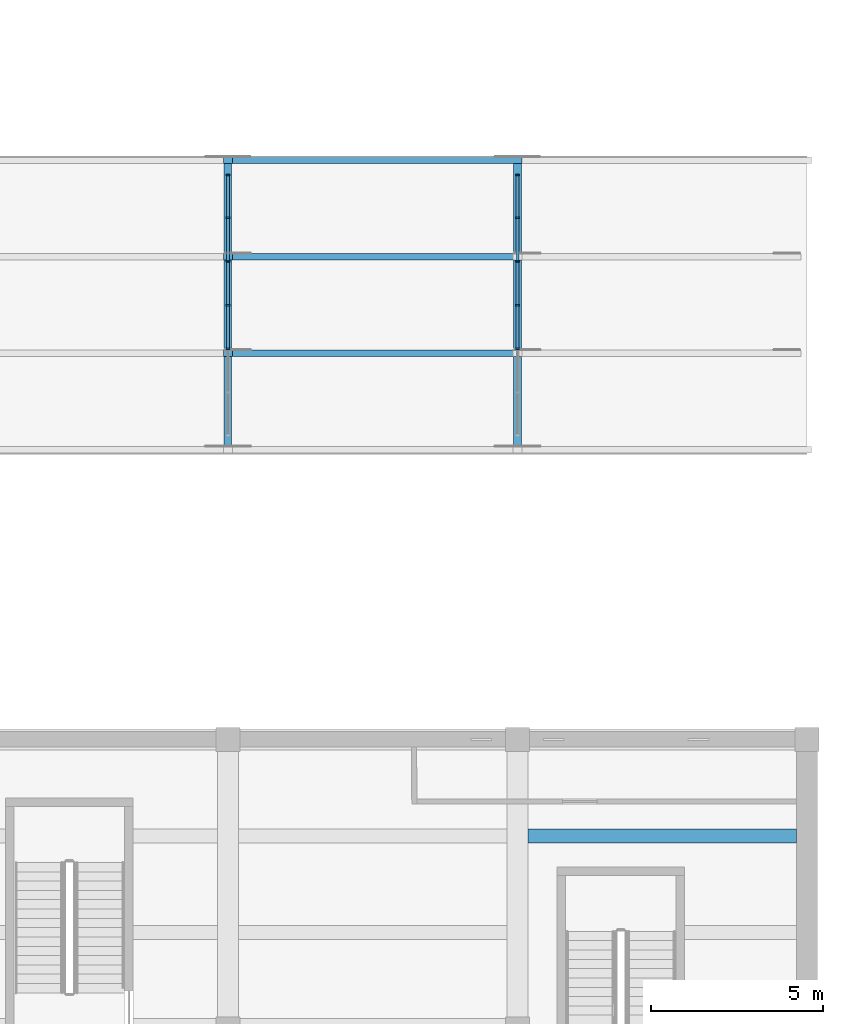
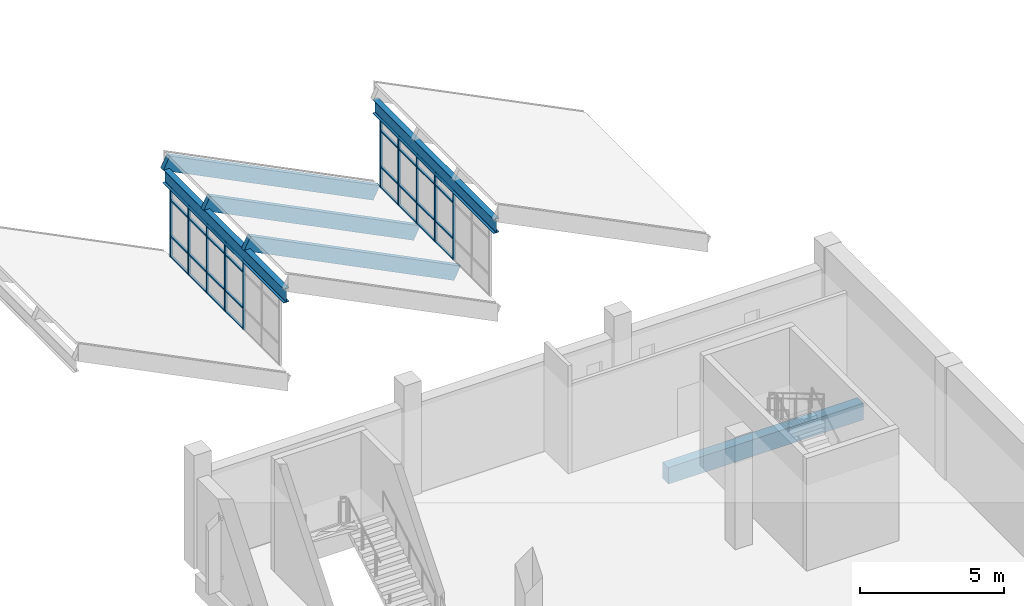
# One storey, part 28 of 103: 42 members, 6 beams, 2 elements without a shape of their own.
"""IFC4 building model written with IfcOpenShell, lengths in metres."""

from ifc_helpers import new_model, si_unit, direction, frame, origin, origin_2d, place, context, subcontext, project, spatial, rectangle, i_section, extrude, material, layer, layer_set, material_profile, profile_set, type_object, element, aggregate, save


model = new_model("IFC4")

# Units and contexts
model_context = context("Model", 3, precision=1e-05, world=origin(), true_north=direction((0.0, 1.0)))
body_context = subcontext(model_context, "Body", "Model", "MODEL_VIEW")
ifc_project = project(units=[si_unit("LENGTHUNIT", "METRE"), si_unit("AREAUNIT", "SQUARE_METRE"), si_unit("VOLUMEUNIT", "CUBIC_METRE"), si_unit("PLANEANGLEUNIT", "RADIAN"), si_unit("MASSUNIT", "GRAM", prefix="KILO")], contexts=[model_context])

# Site, building, storey
site_placement = place(None, origin())
site = spatial("IfcSite", under=ifc_project, at=site_placement, CompositionType="ELEMENT")
building_placement = place(site_placement, origin())
building = spatial("IfcBuilding", under=site, at=building_placement, Name="Larchfold Concert Hall", CompositionType="ELEMENT")
storey_placement = place(building_placement, frame((0.0, 0.0, 9.60009765625)))
storey = spatial("IfcBuildingStorey", under=building, at=storey_placement, Name="L02", CompositionType="ELEMENT", Elevation=9.60009765625)

# Curtain wall, members
ifc_material_1 = material(Name="Anodised graphite aluminium curtain wall", Category="aluminium")
ifc_layer = layer(ifc_material_1, 0.10009765625)
ifc_layer_set = layer_set([ifc_layer], Name="Anodised graphite aluminium curtain wall")
curtain_wall_type = type_object("IfcCurtainWallType", Name="Curtain wall GL", PredefinedType="NOTDEFINED", material=ifc_layer_set)
curtain_wall_1_placement = place(storey_placement, origin())
curtain_wall_1 = element("IfcCurtainWall", 1, at=curtain_wall_1_placement, inside=storey, type_object=curtain_wall_type, Name="Curtain wall CW8002", PredefinedType="NOTDEFINED")
ifc_material_2 = material(Name="Anodised graphite aluminium mullion", Category="aluminium")
ifc_material_profile_1 = material_profile(ifc_material_2, rectangle(XDim=0.10009765625, YDim=0.050048828125, at=origin_2d()))
ifc_profile_set_1 = profile_set([ifc_material_profile_1], Name="Anodised graphite aluminium mullion")
member_type_1 = type_object("IfcMemberType", Name="Aluminium mullion 50x100", PredefinedType="MULLION", material=ifc_profile_set_1)
member_1_placement = place(storey_placement, frame((84.60009765625, 112.7333984375, 0.0), z_axis=(0.0, 0.0, 1.0), x_axis=(-1.0, 0.0, 0.0)))
member_1 = element("IfcMember", 2, at=member_1_placement, type_object=member_type_1, Name="CW8002 mullion 3", PredefinedType="MULLION", context=body_context, shape_type="SweptSolid", body=[
    extrude(rectangle(XDim=0.10009765625, YDim=0.050048828125, at=origin_2d()), origin(), (0.0, 0.0, 1.0), 2.923828125),
])
member_2_placement = place(storey_placement, frame((84.60009765625, 114.0, 0.0), z_axis=(0.0, 0.0, 1.0), x_axis=(-1.0, 0.0, 0.0)))
member_2 = element("IfcMember", 3, at=member_2_placement, type_object=member_type_1, Name="CW8002 mullion 4", PredefinedType="MULLION", context=body_context, shape_type="SweptSolid", body=[
    extrude(rectangle(XDim=0.10009765625, YDim=0.050048828125, at=origin_2d()), origin(), (0.0, 0.0, 1.0), 2.923828125),
])
member_3_placement = place(storey_placement, frame((84.60009765625, 115.2666015625, 0.0), z_axis=(0.0, 0.0, 1.0), x_axis=(-1.0, 0.0, 0.0)))
member_3 = element("IfcMember", 4, at=member_3_placement, type_object=member_type_1, Name="CW8002 mullion 5", PredefinedType="MULLION", context=body_context, shape_type="SweptSolid", body=[
    extrude(rectangle(XDim=0.10009765625, YDim=0.050048828125, at=origin_2d()), origin(), (0.0, 0.0, 1.0), 2.923828125),
])
member_4_placement = place(storey_placement, frame((84.60009765625, 116.533447265625, 0.0), z_axis=(0.0, 0.0, 1.0), x_axis=(-1.0, 0.0, 0.0)))
member_4 = element("IfcMember", 5, at=member_4_placement, type_object=member_type_1, Name="CW8002 mullion 6", PredefinedType="MULLION", context=body_context, shape_type="SweptSolid", body=[
    extrude(rectangle(XDim=0.10009765625, YDim=0.050048828125, at=origin_2d()), origin(), (0.0, 0.0, 1.0), 2.923828125),
])
member_5_placement = place(storey_placement, frame((84.60009765625, 117.775146484375, 0.0), z_axis=(0.0, 0.0, 1.0), x_axis=(-1.0, 0.0, 0.0)))
member_5 = element("IfcMember", 6, at=member_5_placement, type_object=member_type_1, Name="CW8002 mullion 7", PredefinedType="MULLION", context=body_context, shape_type="SweptSolid", body=[
    extrude(rectangle(XDim=0.10009765625, YDim=0.050048828125, at=origin_2d()), origin(), (0.0, 0.0, 1.0), 2.923828125),
])

curtain_wall_2_placement = place(storey_placement, origin())
curtain_wall_2 = element("IfcCurtainWall", 7, at=curtain_wall_2_placement, inside=storey, type_object=curtain_wall_type, Name="Curtain wall CW8003", PredefinedType="NOTDEFINED")
member_6_placement = place(storey_placement, frame((93.0, 112.7333984375, 0.0), z_axis=(0.0, 0.0, 1.0), x_axis=(-1.0, 0.0, 0.0)))
member_6 = element("IfcMember", 8, at=member_6_placement, type_object=member_type_1, Name="CW8003 mullion 3", PredefinedType="MULLION", context=body_context, shape_type="SweptSolid", body=[
    extrude(rectangle(XDim=0.10009765625, YDim=0.050048828125, at=origin_2d()), origin(), (0.0, 0.0, 1.0), 2.923828125),
])
member_7_placement = place(storey_placement, frame((93.0, 114.0, 0.0), z_axis=(0.0, 0.0, 1.0), x_axis=(-1.0, 0.0, 0.0)))
member_7 = element("IfcMember", 9, at=member_7_placement, type_object=member_type_1, Name="CW8003 mullion 4", PredefinedType="MULLION", context=body_context, shape_type="SweptSolid", body=[
    extrude(rectangle(XDim=0.10009765625, YDim=0.050048828125, at=origin_2d()), origin(), (0.0, 0.0, 1.0), 2.923828125),
])
member_8_placement = place(storey_placement, frame((93.0, 115.2666015625, 0.0), z_axis=(0.0, 0.0, 1.0), x_axis=(-1.0, 0.0, 0.0)))
member_8 = element("IfcMember", 10, at=member_8_placement, type_object=member_type_1, Name="CW8003 mullion 5", PredefinedType="MULLION", context=body_context, shape_type="SweptSolid", body=[
    extrude(rectangle(XDim=0.10009765625, YDim=0.050048828125, at=origin_2d()), origin(), (0.0, 0.0, 1.0), 2.923828125),
])
member_9_placement = place(storey_placement, frame((93.0, 116.533447265625, 0.0), z_axis=(0.0, 0.0, 1.0), x_axis=(-1.0, 0.0, 0.0)))
member_9 = element("IfcMember", 11, at=member_9_placement, type_object=member_type_1, Name="CW8003 mullion 6", PredefinedType="MULLION", context=body_context, shape_type="SweptSolid", body=[
    extrude(rectangle(XDim=0.10009765625, YDim=0.050048828125, at=origin_2d()), origin(), (0.0, 0.0, 1.0), 2.923828125),
])
member_10_placement = place(storey_placement, frame((93.0, 117.775146484375, 0.0), z_axis=(0.0, 0.0, 1.0), x_axis=(-1.0, 0.0, 0.0)))
member_10 = element("IfcMember", 12, at=member_10_placement, type_object=member_type_1, Name="CW8003 mullion 7", PredefinedType="MULLION", context=body_context, shape_type="SweptSolid", body=[
    extrude(rectangle(XDim=0.10009765625, YDim=0.050048828125, at=origin_2d()), origin(), (0.0, 0.0, 1.0), 2.923828125),
])

# Member
ifc_material_3 = material(Name="Anodised graphite aluminium transom", Category="aluminium")
ifc_material_profile_2 = material_profile(ifc_material_3, rectangle(XDim=0.090087890625, YDim=0.06005859375, at=origin_2d()))
ifc_profile_set_2 = profile_set([ifc_material_profile_2], Name="Anodised graphite aluminium transom")
member_type_2 = type_object("IfcMemberType", Name="Aluminium transom 60x90", PredefinedType="USERDEFINED", material=ifc_profile_set_2)
member_11_placement = place(storey_placement, frame((84.60009765625, 112.75830078125, 0.030029296875), z_axis=(0.0, 1.0, 0.0), x_axis=(-1.0, 0.0, 0.0)))
member_11 = element("IfcMember", 13, at=member_11_placement, type_object=member_type_2, Name="CW8002 transom 3.1", ObjectType="TRANSOM", PredefinedType="USERDEFINED", context=body_context, shape_type="SweptSolid", body=[
    extrude(rectangle(XDim=0.090087890625, YDim=0.06005859375, at=origin_2d()), origin(), (0.0, 0.0, 1.0), 1.216796875),
])

member_12_placement = place(storey_placement, frame((84.60009765625, 112.75830078125, 0.89990234375), z_axis=(0.0, 1.0, 0.0), x_axis=(-1.0, 0.0, 0.0)))
member_12 = element("IfcMember", 14, at=member_12_placement, type_object=member_type_2, Name="CW8002 transom 3.2", ObjectType="TRANSOM", PredefinedType="USERDEFINED", context=body_context, shape_type="SweptSolid", body=[
    extrude(rectangle(XDim=0.090087890625, YDim=0.06005859375, at=origin_2d()), origin(), (0.0, 0.0, 1.0), 1.216796875),
])

member_13_placement = place(storey_placement, frame((84.60009765625, 112.75830078125, 2.423828125), z_axis=(0.0, 1.0, 0.0), x_axis=(-1.0, 0.0, 0.0)))
member_13 = element("IfcMember", 15, at=member_13_placement, type_object=member_type_2, Name="CW8002 transom 3.3", ObjectType="TRANSOM", PredefinedType="USERDEFINED", context=body_context, shape_type="SweptSolid", body=[
    extrude(rectangle(XDim=0.090087890625, YDim=0.06005859375, at=origin_2d()), origin(), (0.0, 0.0, 1.0), 1.216796875),
])

member_14_placement = place(storey_placement, frame((84.60009765625, 112.75830078125, 2.893798828125), z_axis=(0.0, 1.0, 0.0), x_axis=(-1.0, 0.0, 0.0)))
member_14 = element("IfcMember", 16, at=member_14_placement, type_object=member_type_2, Name="CW8002 transom 3.4", ObjectType="TRANSOM", PredefinedType="USERDEFINED", context=body_context, shape_type="SweptSolid", body=[
    extrude(rectangle(XDim=0.090087890625, YDim=0.06005859375, at=origin_2d()), origin(), (0.0, 0.0, 1.0), 1.216796875),
])

member_15_placement = place(storey_placement, frame((84.60009765625, 114.02490234375, 0.030029296875), z_axis=(0.0, 1.0, 0.0), x_axis=(-1.0, 0.0, 0.0)))
member_15 = element("IfcMember", 17, at=member_15_placement, type_object=member_type_2, Name="CW8002 transom 4.1", ObjectType="TRANSOM", PredefinedType="USERDEFINED", context=body_context, shape_type="SweptSolid", body=[
    extrude(rectangle(XDim=0.090087890625, YDim=0.06005859375, at=origin_2d()), origin(), (0.0, 0.0, 1.0), 1.216796875),
])

member_16_placement = place(storey_placement, frame((84.60009765625, 114.02490234375, 0.89990234375), z_axis=(0.0, 1.0, 0.0), x_axis=(-1.0, 0.0, 0.0)))
member_16 = element("IfcMember", 18, at=member_16_placement, type_object=member_type_2, Name="CW8002 transom 4.2", ObjectType="TRANSOM", PredefinedType="USERDEFINED", context=body_context, shape_type="SweptSolid", body=[
    extrude(rectangle(XDim=0.090087890625, YDim=0.06005859375, at=origin_2d()), origin(), (0.0, 0.0, 1.0), 1.216796875),
])

member_17_placement = place(storey_placement, frame((84.60009765625, 114.02490234375, 2.423828125), z_axis=(0.0, 1.0, 0.0), x_axis=(-1.0, 0.0, 0.0)))
member_17 = element("IfcMember", 19, at=member_17_placement, type_object=member_type_2, Name="CW8002 transom 4.3", ObjectType="TRANSOM", PredefinedType="USERDEFINED", context=body_context, shape_type="SweptSolid", body=[
    extrude(rectangle(XDim=0.090087890625, YDim=0.06005859375, at=origin_2d()), origin(), (0.0, 0.0, 1.0), 1.216796875),
])

member_18_placement = place(storey_placement, frame((84.60009765625, 114.02490234375, 2.893798828125), z_axis=(0.0, 1.0, 0.0), x_axis=(-1.0, 0.0, 0.0)))
member_18 = element("IfcMember", 20, at=member_18_placement, type_object=member_type_2, Name="CW8002 transom 4.4", ObjectType="TRANSOM", PredefinedType="USERDEFINED", context=body_context, shape_type="SweptSolid", body=[
    extrude(rectangle(XDim=0.090087890625, YDim=0.06005859375, at=origin_2d()), origin(), (0.0, 0.0, 1.0), 1.216796875),
])

member_19_placement = place(storey_placement, frame((84.60009765625, 115.291748046875, 0.030029296875), z_axis=(0.0, 1.0, 0.0), x_axis=(-1.0, 0.0, 0.0)))
member_19 = element("IfcMember", 21, at=member_19_placement, type_object=member_type_2, Name="CW8002 transom 5.1", ObjectType="TRANSOM", PredefinedType="USERDEFINED", context=body_context, shape_type="SweptSolid", body=[
    extrude(rectangle(XDim=0.090087890625, YDim=0.06005859375, at=origin_2d()), origin(), (0.0, 0.0, 1.0), 1.216552734375),
])

member_20_placement = place(storey_placement, frame((84.60009765625, 115.291748046875, 0.89990234375), z_axis=(0.0, 1.0, 0.0), x_axis=(-1.0, 0.0, 0.0)))
member_20 = element("IfcMember", 22, at=member_20_placement, type_object=member_type_2, Name="CW8002 transom 5.2", ObjectType="TRANSOM", PredefinedType="USERDEFINED", context=body_context, shape_type="SweptSolid", body=[
    extrude(rectangle(XDim=0.090087890625, YDim=0.06005859375, at=origin_2d()), origin(), (0.0, 0.0, 1.0), 1.216552734375),
])

member_21_placement = place(storey_placement, frame((84.60009765625, 115.291748046875, 2.423828125), z_axis=(0.0, 1.0, 0.0), x_axis=(-1.0, 0.0, 0.0)))
member_21 = element("IfcMember", 23, at=member_21_placement, type_object=member_type_2, Name="CW8002 transom 5.3", ObjectType="TRANSOM", PredefinedType="USERDEFINED", context=body_context, shape_type="SweptSolid", body=[
    extrude(rectangle(XDim=0.090087890625, YDim=0.06005859375, at=origin_2d()), origin(), (0.0, 0.0, 1.0), 1.216552734375),
])

member_22_placement = place(storey_placement, frame((84.60009765625, 115.291748046875, 2.893798828125), z_axis=(0.0, 1.0, 0.0), x_axis=(-1.0, 0.0, 0.0)))
member_22 = element("IfcMember", 24, at=member_22_placement, type_object=member_type_2, Name="CW8002 transom 5.4", ObjectType="TRANSOM", PredefinedType="USERDEFINED", context=body_context, shape_type="SweptSolid", body=[
    extrude(rectangle(XDim=0.090087890625, YDim=0.06005859375, at=origin_2d()), origin(), (0.0, 0.0, 1.0), 1.216552734375),
])

member_23_placement = place(storey_placement, frame((84.60009765625, 116.558349609375, 0.030029296875), z_axis=(0.0, 1.0, 0.0), x_axis=(-1.0, 0.0, 0.0)))
member_23 = element("IfcMember", 25, at=member_23_placement, type_object=member_type_2, Name="CW8002 transom 6.1", ObjectType="TRANSOM", PredefinedType="USERDEFINED", context=body_context, shape_type="SweptSolid", body=[
    extrude(rectangle(XDim=0.090087890625, YDim=0.06005859375, at=origin_2d()), origin(), (0.0, 0.0, 1.0), 1.191650390625),
])

member_24_placement = place(storey_placement, frame((84.60009765625, 116.558349609375, 0.89990234375), z_axis=(0.0, 1.0, 0.0), x_axis=(-1.0, 0.0, 0.0)))
member_24 = element("IfcMember", 26, at=member_24_placement, type_object=member_type_2, Name="CW8002 transom 6.2", ObjectType="TRANSOM", PredefinedType="USERDEFINED", context=body_context, shape_type="SweptSolid", body=[
    extrude(rectangle(XDim=0.090087890625, YDim=0.06005859375, at=origin_2d()), origin(), (0.0, 0.0, 1.0), 1.191650390625),
])

member_25_placement = place(storey_placement, frame((84.60009765625, 116.558349609375, 2.423828125), z_axis=(0.0, 1.0, 0.0), x_axis=(-1.0, 0.0, 0.0)))
member_25 = element("IfcMember", 27, at=member_25_placement, type_object=member_type_2, Name="CW8002 transom 6.3", ObjectType="TRANSOM", PredefinedType="USERDEFINED", context=body_context, shape_type="SweptSolid", body=[
    extrude(rectangle(XDim=0.090087890625, YDim=0.06005859375, at=origin_2d()), origin(), (0.0, 0.0, 1.0), 1.191650390625),
])

member_26_placement = place(storey_placement, frame((84.60009765625, 116.558349609375, 2.893798828125), z_axis=(0.0, 1.0, 0.0), x_axis=(-1.0, 0.0, 0.0)))
member_26 = element("IfcMember", 28, at=member_26_placement, type_object=member_type_2, Name="CW8002 transom 6.4", ObjectType="TRANSOM", PredefinedType="USERDEFINED", context=body_context, shape_type="SweptSolid", body=[
    extrude(rectangle(XDim=0.090087890625, YDim=0.06005859375, at=origin_2d()), origin(), (0.0, 0.0, 1.0), 1.191650390625),
])

aggregate(curtain_wall_1, [member_1, member_2, member_3, member_4, member_5, member_11, member_12, member_13, member_14, member_15, member_16, member_17, member_18, member_19, member_20, member_21, member_22, member_23, member_24, member_25, member_26])

member_27_placement = place(storey_placement, frame((93.0, 112.75830078125, 0.030029296875), z_axis=(0.0, 1.0, 0.0), x_axis=(-1.0, 0.0, 0.0)))
member_27 = element("IfcMember", 29, at=member_27_placement, type_object=member_type_2, Name="CW8003 transom 3.1", ObjectType="TRANSOM", PredefinedType="USERDEFINED", context=body_context, shape_type="SweptSolid", body=[
    extrude(rectangle(XDim=0.090087890625, YDim=0.06005859375, at=origin_2d()), origin(), (0.0, 0.0, 1.0), 1.216796875),
])

member_28_placement = place(storey_placement, frame((93.0, 112.75830078125, 0.89990234375), z_axis=(0.0, 1.0, 0.0), x_axis=(-1.0, 0.0, 0.0)))
member_28 = element("IfcMember", 30, at=member_28_placement, type_object=member_type_2, Name="CW8003 transom 3.2", ObjectType="TRANSOM", PredefinedType="USERDEFINED", context=body_context, shape_type="SweptSolid", body=[
    extrude(rectangle(XDim=0.090087890625, YDim=0.06005859375, at=origin_2d()), origin(), (0.0, 0.0, 1.0), 1.216796875),
])

member_29_placement = place(storey_placement, frame((93.0, 112.75830078125, 2.423828125), z_axis=(0.0, 1.0, 0.0), x_axis=(-1.0, 0.0, 0.0)))
member_29 = element("IfcMember", 31, at=member_29_placement, type_object=member_type_2, Name="CW8003 transom 3.3", ObjectType="TRANSOM", PredefinedType="USERDEFINED", context=body_context, shape_type="SweptSolid", body=[
    extrude(rectangle(XDim=0.090087890625, YDim=0.06005859375, at=origin_2d()), origin(), (0.0, 0.0, 1.0), 1.216796875),
])

member_30_placement = place(storey_placement, frame((93.0, 112.75830078125, 2.893798828125), z_axis=(0.0, 1.0, 0.0), x_axis=(-1.0, 0.0, 0.0)))
member_30 = element("IfcMember", 32, at=member_30_placement, type_object=member_type_2, Name="CW8003 transom 3.4", ObjectType="TRANSOM", PredefinedType="USERDEFINED", context=body_context, shape_type="SweptSolid", body=[
    extrude(rectangle(XDim=0.090087890625, YDim=0.06005859375, at=origin_2d()), origin(), (0.0, 0.0, 1.0), 1.216796875),
])

member_31_placement = place(storey_placement, frame((93.0, 114.02490234375, 0.030029296875), z_axis=(0.0, 1.0, 0.0), x_axis=(-1.0, 0.0, 0.0)))
member_31 = element("IfcMember", 33, at=member_31_placement, type_object=member_type_2, Name="CW8003 transom 4.1", ObjectType="TRANSOM", PredefinedType="USERDEFINED", context=body_context, shape_type="SweptSolid", body=[
    extrude(rectangle(XDim=0.090087890625, YDim=0.06005859375, at=origin_2d()), origin(), (0.0, 0.0, 1.0), 1.216796875),
])

member_32_placement = place(storey_placement, frame((93.0, 114.02490234375, 0.89990234375), z_axis=(0.0, 1.0, 0.0), x_axis=(-1.0, 0.0, 0.0)))
member_32 = element("IfcMember", 34, at=member_32_placement, type_object=member_type_2, Name="CW8003 transom 4.2", ObjectType="TRANSOM", PredefinedType="USERDEFINED", context=body_context, shape_type="SweptSolid", body=[
    extrude(rectangle(XDim=0.090087890625, YDim=0.06005859375, at=origin_2d()), origin(), (0.0, 0.0, 1.0), 1.216796875),
])

member_33_placement = place(storey_placement, frame((93.0, 114.02490234375, 2.423828125), z_axis=(0.0, 1.0, 0.0), x_axis=(-1.0, 0.0, 0.0)))
member_33 = element("IfcMember", 35, at=member_33_placement, type_object=member_type_2, Name="CW8003 transom 4.3", ObjectType="TRANSOM", PredefinedType="USERDEFINED", context=body_context, shape_type="SweptSolid", body=[
    extrude(rectangle(XDim=0.090087890625, YDim=0.06005859375, at=origin_2d()), origin(), (0.0, 0.0, 1.0), 1.216796875),
])

member_34_placement = place(storey_placement, frame((93.0, 114.02490234375, 2.893798828125), z_axis=(0.0, 1.0, 0.0), x_axis=(-1.0, 0.0, 0.0)))
member_34 = element("IfcMember", 36, at=member_34_placement, type_object=member_type_2, Name="CW8003 transom 4.4", ObjectType="TRANSOM", PredefinedType="USERDEFINED", context=body_context, shape_type="SweptSolid", body=[
    extrude(rectangle(XDim=0.090087890625, YDim=0.06005859375, at=origin_2d()), origin(), (0.0, 0.0, 1.0), 1.216796875),
])

member_35_placement = place(storey_placement, frame((93.0, 115.291748046875, 0.030029296875), z_axis=(0.0, 1.0, 0.0), x_axis=(-1.0, 0.0, 0.0)))
member_35 = element("IfcMember", 37, at=member_35_placement, type_object=member_type_2, Name="CW8003 transom 5.1", ObjectType="TRANSOM", PredefinedType="USERDEFINED", context=body_context, shape_type="SweptSolid", body=[
    extrude(rectangle(XDim=0.090087890625, YDim=0.06005859375, at=origin_2d()), origin(), (0.0, 0.0, 1.0), 1.216552734375),
])

member_36_placement = place(storey_placement, frame((93.0, 115.291748046875, 0.89990234375), z_axis=(0.0, 1.0, 0.0), x_axis=(-1.0, 0.0, 0.0)))
member_36 = element("IfcMember", 38, at=member_36_placement, type_object=member_type_2, Name="CW8003 transom 5.2", ObjectType="TRANSOM", PredefinedType="USERDEFINED", context=body_context, shape_type="SweptSolid", body=[
    extrude(rectangle(XDim=0.090087890625, YDim=0.06005859375, at=origin_2d()), origin(), (0.0, 0.0, 1.0), 1.216552734375),
])

member_37_placement = place(storey_placement, frame((93.0, 115.291748046875, 2.423828125), z_axis=(0.0, 1.0, 0.0), x_axis=(-1.0, 0.0, 0.0)))
member_37 = element("IfcMember", 39, at=member_37_placement, type_object=member_type_2, Name="CW8003 transom 5.3", ObjectType="TRANSOM", PredefinedType="USERDEFINED", context=body_context, shape_type="SweptSolid", body=[
    extrude(rectangle(XDim=0.090087890625, YDim=0.06005859375, at=origin_2d()), origin(), (0.0, 0.0, 1.0), 1.216552734375),
])

member_38_placement = place(storey_placement, frame((93.0, 115.291748046875, 2.893798828125), z_axis=(0.0, 1.0, 0.0), x_axis=(-1.0, 0.0, 0.0)))
member_38 = element("IfcMember", 40, at=member_38_placement, type_object=member_type_2, Name="CW8003 transom 5.4", ObjectType="TRANSOM", PredefinedType="USERDEFINED", context=body_context, shape_type="SweptSolid", body=[
    extrude(rectangle(XDim=0.090087890625, YDim=0.06005859375, at=origin_2d()), origin(), (0.0, 0.0, 1.0), 1.216552734375),
])

member_39_placement = place(storey_placement, frame((93.0, 116.558349609375, 0.030029296875), z_axis=(0.0, 1.0, 0.0), x_axis=(-1.0, 0.0, 0.0)))
member_39 = element("IfcMember", 41, at=member_39_placement, type_object=member_type_2, Name="CW8003 transom 6.1", ObjectType="TRANSOM", PredefinedType="USERDEFINED", context=body_context, shape_type="SweptSolid", body=[
    extrude(rectangle(XDim=0.090087890625, YDim=0.06005859375, at=origin_2d()), origin(), (0.0, 0.0, 1.0), 1.191650390625),
])

member_40_placement = place(storey_placement, frame((93.0, 116.558349609375, 0.89990234375), z_axis=(0.0, 1.0, 0.0), x_axis=(-1.0, 0.0, 0.0)))
member_40 = element("IfcMember", 42, at=member_40_placement, type_object=member_type_2, Name="CW8003 transom 6.2", ObjectType="TRANSOM", PredefinedType="USERDEFINED", context=body_context, shape_type="SweptSolid", body=[
    extrude(rectangle(XDim=0.090087890625, YDim=0.06005859375, at=origin_2d()), origin(), (0.0, 0.0, 1.0), 1.191650390625),
])

member_41_placement = place(storey_placement, frame((93.0, 116.558349609375, 2.423828125), z_axis=(0.0, 1.0, 0.0), x_axis=(-1.0, 0.0, 0.0)))
member_41 = element("IfcMember", 43, at=member_41_placement, type_object=member_type_2, Name="CW8003 transom 6.3", ObjectType="TRANSOM", PredefinedType="USERDEFINED", context=body_context, shape_type="SweptSolid", body=[
    extrude(rectangle(XDim=0.090087890625, YDim=0.06005859375, at=origin_2d()), origin(), (0.0, 0.0, 1.0), 1.191650390625),
])

member_42_placement = place(storey_placement, frame((93.0, 116.558349609375, 2.893798828125), z_axis=(0.0, 1.0, 0.0), x_axis=(-1.0, 0.0, 0.0)))
member_42 = element("IfcMember", 44, at=member_42_placement, type_object=member_type_2, Name="CW8003 transom 6.4", ObjectType="TRANSOM", PredefinedType="USERDEFINED", context=body_context, shape_type="SweptSolid", body=[
    extrude(rectangle(XDim=0.090087890625, YDim=0.06005859375, at=origin_2d()), origin(), (0.0, 0.0, 1.0), 1.191650390625),
])

aggregate(curtain_wall_2, [member_6, member_7, member_8, member_9, member_10, member_27, member_28, member_29, member_30, member_31, member_32, member_33, member_34, member_35, member_36, member_37, member_38, member_39, member_40, member_41, member_42])

# Beams
ifc_material_4 = material(Name="Concrete C35/45", Category="concrete")
ifc_material_profile_3 = material_profile(ifc_material_4, rectangle(XDim=0.39990234375, YDim=0.699951171875, at=origin_2d()))
ifc_profile_set_3 = profile_set([ifc_material_profile_3], Name="Concrete C35/45")
beam_type_1 = type_object("IfcBeamType", Name="Beam RC 400x700", PredefinedType="BEAM", material=ifc_profile_set_3)
beam_placement = place(storey_placement, frame((93.300048828125, 98.60009765625, -0.550048828125), z_axis=(1.0, 0.0, 0.0), x_axis=(0.0, 1.0, 0.0)))
element("IfcBeam", 45, at=beam_placement, inside=storey, type_object=beam_type_1, Name="Beam B1020", PredefinedType="BEAM", context=body_context, shape_type="SweptSolid", body=[
    extrude(rectangle(XDim=0.39990234375, YDim=0.699951171875, at=origin_2d()), origin(), (0.0, 0.0, 1.0), 7.800048828125),
])
ifc_material_5 = material(Name="Glulam GL30c", Category="wood")
ifc_material_profile_4 = material_profile(ifc_material_5, rectangle(XDim=0.18994140625, YDim=0.5849609375, at=origin_2d()))
ifc_profile_set_4 = profile_set([ifc_material_profile_4], Name="Glulam GL30c")
beam_type_2 = type_object("IfcBeamType", Name="Glulam beam GL30c 190x585", PredefinedType="BEAM", material=ifc_profile_set_4)
for number, where, z_axis, x_axis, name in (
    (46, (84.60009765625, 112.60009765625, 3.77294921875), (0.894427191, 0.0, -0.4472135955), (0.0, 1.0, 0.0), "Beam GL2102"),
    (47, (84.60009765625, 115.39990234375, 3.77294921875), (0.894427191, 0.0, -0.4472135955), (0.0, 1.0, 0.0), "Beam GL2103"),
    (48, (84.60009765625, 118.199951171875, 3.77294921875), (0.894427191, 0.0, -0.4472135955), (0.0, 1.0, 0.0), "Beam GL2104"),
):
    element("IfcBeam", number, at=place(storey_placement, frame(where, z_axis=z_axis, x_axis=x_axis)), inside=storey, type_object=beam_type_2, Name=name, PredefinedType="BEAM", context=body_context, shape_type="SweptSolid", body=[
        extrude(rectangle(XDim=0.18994140625, YDim=0.5849609375, at=origin_2d()), origin(), (0.0, 0.0, 1.0), 9.391357421875),
    ])
ifc_material_6 = material(Name="Steel S355", Category="steel")
ifc_material_profile_5 = material_profile(ifc_material_6, i_section(OverallWidth=0.219970703125, OverallDepth=0.60009765625, WebThickness=0.011962890625, FlangeThickness=0.01904296875, FilletRadius=0.02392578125, at=origin_2d()))
ifc_profile_set_5 = profile_set([ifc_material_profile_5], Name="Steel S355")
beam_type_3 = type_object("IfcBeamType", Name="Steel beam IPE 600", PredefinedType="BEAM", material=ifc_profile_set_5)
for number, where, z_axis, x_axis, name in (
    (49, (84.60009765625, 109.800048828125, 3.223876953125), (0.0, 1.0, 0.0), (-1.0, 0.0, 0.0), "Beam B2091"),
    (50, (93.0, 109.800048828125, 3.223876953125), (0.0, 1.0, 0.0), (-1.0, 0.0, 0.0), "Beam B2092"),
):
    element("IfcBeam", number, at=place(storey_placement, frame(where, z_axis=z_axis, x_axis=x_axis)), inside=storey, type_object=beam_type_3, Name=name, PredefinedType="BEAM", context=body_context, shape_type="SweptSolid", body=[
        extrude(i_section(OverallWidth=0.219970703125, OverallDepth=0.60009765625, WebThickness=0.011962890625, FlangeThickness=0.01904296875, FilletRadius=0.02392578125, at=origin_2d()), origin(), (0.0, 0.0, 1.0), 8.39990234375),
    ])

save(model, "model.ifc")
